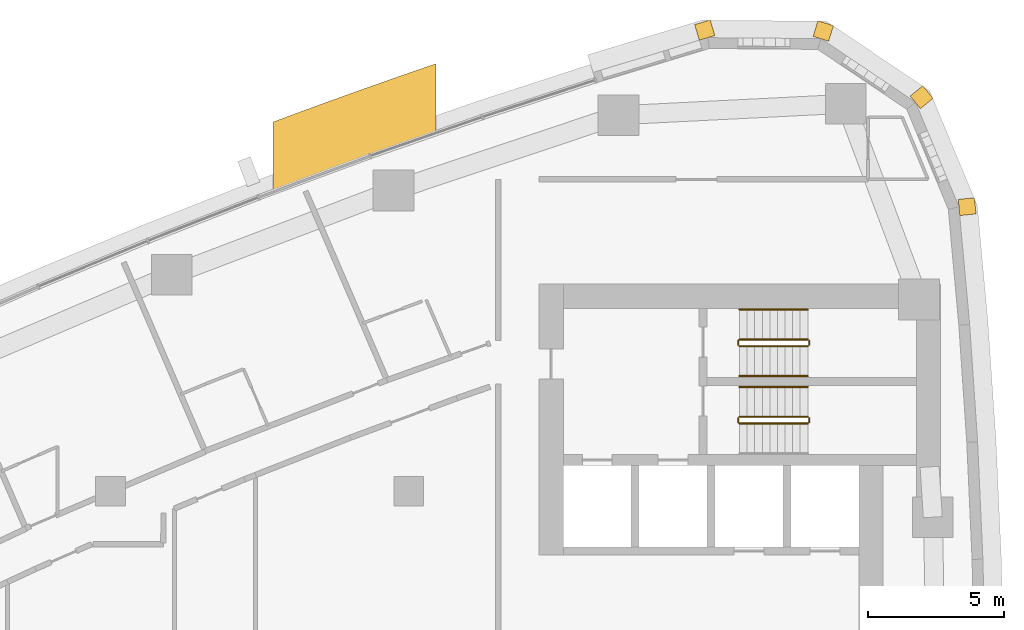
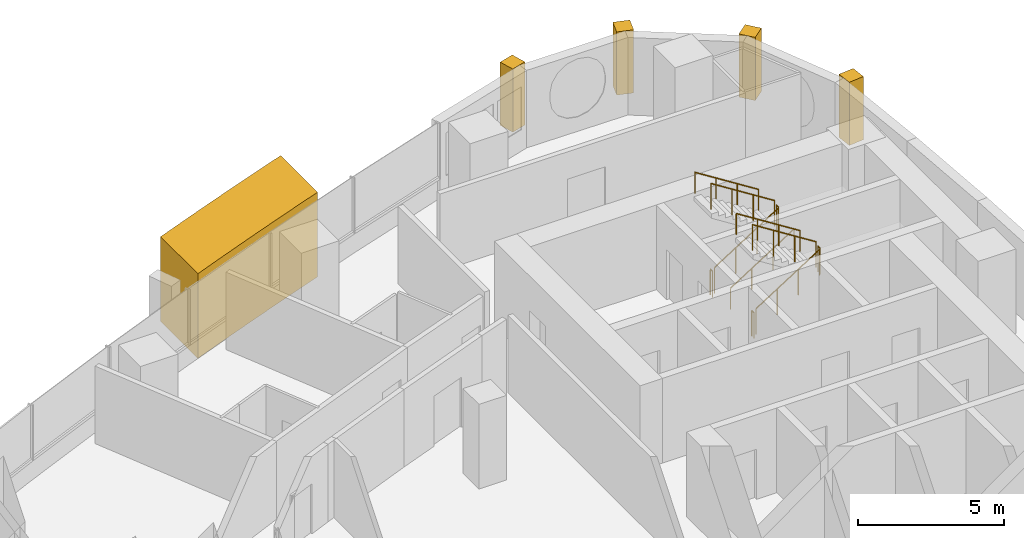
# One storey, part 17 of 17: 11 railings, 5 coverings.
"""IFC4 building model written with IfcOpenShell, lengths in metres."""

from ifc_helpers import new_model, si_unit, direction, frame, frame_2d, origin, origin_2d, place, context, subcontext, project, spatial, polyline, rectangle, circle, outline, extrude, material, layer, layer_set, type_object, element, save


model = new_model("IFC4")

# Units and contexts
model_context = context("Model", 3, precision=1e-05, world=origin(), true_north=direction((0.0, 1.0)))
body_context = subcontext(model_context, "Body", "Model", "MODEL_VIEW")
ifc_project = project(units=[si_unit("LENGTHUNIT", "METRE"), si_unit("AREAUNIT", "SQUARE_METRE"), si_unit("VOLUMEUNIT", "CUBIC_METRE"), si_unit("PLANEANGLEUNIT", "RADIAN"), si_unit("MASSUNIT", "GRAM", prefix="KILO")], contexts=[model_context])

# Site, building, storey
site_placement = place(None, origin())
site = spatial("IfcSite", under=ifc_project, at=site_placement, CompositionType="ELEMENT")
building_placement = place(site_placement, origin())
building = spatial("IfcBuilding", under=site, at=building_placement, Name="Ostrand Prow Hotel Tower", CompositionType="ELEMENT")
storey_placement = place(building_placement, frame((0.0, 0.0, 144.39990234375)))
storey = spatial("IfcBuildingStorey", under=building, at=storey_placement, Name="L35", CompositionType="ELEMENT", Elevation=144.39990234375)

# Coverings
ifc_material_1 = material(Name="Limestone cladding", Category="masonry")
ifc_layer_1 = layer(ifc_material_1, 5.0)
ifc_layer_set_1 = layer_set([ifc_layer_1], Name="Limestone cladding")
covering_type_1 = type_object("IfcCoveringType", Name="Portal jamb pilaster limestone", PredefinedType="CLADDING", material=ifc_layer_set_1)
covering_1_placement = place(storey_placement, origin())
element("IfcCovering", 1, at=covering_1_placement, inside=storey, type_object=covering_type_1, Name="Portal jamb NB L35", PredefinedType="CLADDING", context=body_context, shape_type="SweptSolid", body=[
    extrude(outline(polyline([(40.0, 20.058349609375), (41.0, 20.434326171875), (42.0, 20.804931640625), (43.0, 21.169921875), (44.0, 21.529296875), (45.0, 21.883056640625), (46.0, 22.231689453125), (46.0, 24.769287109375), (45.0, 24.425048828125), (44.0, 24.075439453125), (43.0, 23.720458984375), (42.0, 23.360107421875), (41.0, 22.994140625), (40.0, 22.622802734375), (40.0, 20.058349609375)])), origin(), (0.0, 0.0, 1.0), 3.550048828125),
])
ifc_material_2 = material(Name="Limestone cladding", Category="masonry")
ifc_layer_2 = layer(ifc_material_2, 0.60009765625)
ifc_layer_set_2 = layer_set([ifc_layer_2], Name="Limestone cladding")
covering_type_2 = type_object("IfcCoveringType", Name="Precast stone prow rib 600x600", PredefinedType="CLADDING", material=ifc_layer_set_2)
covering_2_placement = place(storey_placement, frame((65.296875, 19.467529296875, 0.60009765625), z_axis=(0.0, 0.0, 1.0), x_axis=(0.994854249607, 0.101316445052, 0.0)))
element("IfcCovering", 2, at=covering_2_placement, inside=storey, type_object=covering_type_2, Name="Stone corner rib 14a", PredefinedType="CLADDING", context=body_context, shape_type="SweptSolid", body=[
    extrude(rectangle(XDim=0.60009765625, YDim=0.60009765625, at=frame_2d((0.300048828125, 0.0))), origin(), (0.0, 0.0, 1.0), 2.64990234375),
])
for number, where, z_axis, x_axis, name in (
    (3, (63.68505859375, 23.34521484375, 0.60009765625), (0.0, 0.0, 1.0), (0.773830327772, 0.633392945825, 0.0), "Stone corner rib 15a"),
    (4, (60.201171875, 25.689697265625, 0.60009765625), (0.0, 0.0, 1.0), (0.295515682615, 0.955337888565, 0.0), "Stone corner rib 16a"),
):
    element("IfcCovering", number, at=place(storey_placement, frame(where, z_axis=z_axis, x_axis=x_axis)), inside=storey, type_object=covering_type_2, Name=name, PredefinedType="CLADDING", context=body_context, shape_type="SweptSolid", body=[
        extrude(rectangle(XDim=0.599853515625, YDim=0.60009765625, at=frame_2d((0.2998046875, 0.0))), origin(), (0.0, 0.0, 1.0), 2.64990234375),
    ])
covering_3_placement = place(storey_placement, frame((56.001953125, 25.722412109375, 0.60009765625), z_axis=(0.0, 0.0, 1.0), x_axis=(-0.280734221166, 0.959785547436, 0.0)))
element("IfcCovering", 5, at=covering_3_placement, inside=storey, type_object=covering_type_2, Name="Stone corner rib 16b", PredefinedType="CLADDING", context=body_context, shape_type="SweptSolid", body=[
    extrude(rectangle(XDim=0.60009765625, YDim=0.60009765625, at=frame_2d((0.300048828125, 0.0))), origin(), (0.0, 0.0, 1.0), 2.64990234375),
])

# Railings
ifc_material_3 = material(Name="Painted steel", Category="steel")
railing_type_1 = type_object("IfcRailingType", Name="Stair guard 1100", PredefinedType="GUARDRAIL", material=ifc_material_3)
railing_1_placement = place(storey_placement, frame((57.199951171875, 11.5, 0.177490234375)))
element("IfcRailing", 6, at=railing_1_placement, inside=storey, type_object=railing_type_1, Name="L35 ST1C stair guard 1", PredefinedType="GUARDRAIL", context=body_context, shape_type="SweptSolid", body=[
    extrude(circle(Radius=0.02392578125, at=origin_2d()), frame((0.0, 0.0, 1.076171875), z_axis=(0.84456994832, 0.0, 0.535445237532), x_axis=(0.0, 1.0, 0.0)), (0.0, 0.0, 1.0), 2.98388671875),
    extrude(circle(Radius=0.02099609375, at=origin_2d()), origin(), (0.0, 0.0, 1.0), 1.052001953125),
    extrude(circle(Radius=0.02099609375, at=origin_2d()), frame((0.840087890625, 0.0, 0.532470703125)), (0.0, 0.0, 1.0), 1.052001953125),
    extrude(circle(Radius=0.02099609375, at=origin_2d()), frame((1.679931640625, 0.0, 1.065185546875)), (0.0, 0.0, 1.0), 1.052001953125),
    extrude(circle(Radius=0.02099609375, at=origin_2d()), frame((2.52001953125, 0.0, 1.59765625)), (0.0, 0.0, 1.0), 1.052001953125),
])
railing_2_placement = place(storey_placement, frame((59.77001953125, 11.550048828125, 1.775146484375)))
element("IfcRailing", 7, at=railing_2_placement, inside=storey, type_object=railing_type_1, Name="L35 ST1C stair guard 2", PredefinedType="GUARDRAIL", context=body_context, shape_type="SweptSolid", body=[
    extrude(circle(Radius=0.02392578125, at=origin_2d()), frame((0.0, 0.0, 1.076171875), z_axis=(0.0, 1.0, 0.0), x_axis=(-1.0, 0.0, 0.0)), (0.0, 0.0, 1.0), 0.14990234375),
    extrude(circle(Radius=0.02099609375, at=origin_2d()), origin(), (0.0, 0.0, 1.0), 1.052001953125),
    extrude(circle(Radius=0.02099609375, at=origin_2d()), frame((0.0, 0.14990234375, 0.0)), (0.0, 0.0, 1.0), 1.052001953125),
])
railing_3_placement = place(storey_placement, frame((59.719970703125, 11.75, 1.95263671875)))
element("IfcRailing", 8, at=railing_3_placement, inside=storey, type_object=railing_type_1, Name="L35 ST1C stair guard 3", PredefinedType="GUARDRAIL", context=body_context, shape_type="SweptSolid", body=[
    extrude(circle(Radius=0.02392578125, at=origin_2d()), frame((0.0, 0.0, 1.076171875), z_axis=(-0.84460694969, 0.0, 0.535386869969), x_axis=(0.0, -1.0, 0.0)), (0.0, 0.0, 1.0), 2.983642578125),
    extrude(circle(Radius=0.02099609375, at=origin_2d()), origin(), (0.0, 0.0, 1.0), 1.052001953125),
    extrude(circle(Radius=0.02099609375, at=origin_2d()), frame((-0.840087890625, 0.0, 0.532470703125)), (0.0, 0.0, 1.0), 1.052001953125),
    extrude(circle(Radius=0.02099609375, at=origin_2d()), frame((-1.679931640625, 0.0, 1.06494140625)), (0.0, 0.0, 1.0), 1.052001953125),
    extrude(circle(Radius=0.02099609375, at=origin_2d()), frame((-2.52001953125, 0.0, 1.597412109375)), (0.0, 0.0, 1.0), 1.052001953125),
])
railing_4_placement = place(storey_placement, frame((57.14990234375, 11.550048828125, 0.0)))
element("IfcRailing", 9, at=railing_4_placement, inside=storey, type_object=railing_type_1, Name="L35 ST1C stair guard 4", PredefinedType="GUARDRAIL", context=body_context, shape_type="SweptSolid", body=[
    extrude(circle(Radius=0.02392578125, at=origin_2d()), frame((0.0, 0.0, 1.076171875), z_axis=(0.0, 1.0, 0.0), x_axis=(-1.0, 0.0, 0.0)), (0.0, 0.0, 1.0), 0.14990234375),
    extrude(circle(Radius=0.02099609375, at=origin_2d()), origin(), (0.0, 0.0, 1.0), 1.052001953125),
    extrude(circle(Radius=0.02099609375, at=origin_2d()), frame((0.0, 0.14990234375, 0.0)), (0.0, 0.0, 1.0), 1.052001953125),
])
railing_5_placement = place(storey_placement, frame((57.199951171875, 14.35009765625, 0.177490234375)))
element("IfcRailing", 10, at=railing_5_placement, inside=storey, type_object=railing_type_1, Name="L35 ST3C stair guard 1", PredefinedType="GUARDRAIL", context=body_context, shape_type="SweptSolid", body=[
    extrude(circle(Radius=0.02392578125, at=origin_2d()), frame((0.0, 0.0, 1.076171875), z_axis=(0.84456994832, 0.0, 0.535445237532), x_axis=(0.0, 1.0, 0.0)), (0.0, 0.0, 1.0), 2.98388671875),
    extrude(circle(Radius=0.02099609375, at=origin_2d()), origin(), (0.0, 0.0, 1.0), 1.052001953125),
    extrude(circle(Radius=0.02099609375, at=origin_2d()), frame((0.840087890625, 0.0, 0.532470703125)), (0.0, 0.0, 1.0), 1.052001953125),
    extrude(circle(Radius=0.02099609375, at=origin_2d()), frame((1.679931640625, 0.0, 1.065185546875)), (0.0, 0.0, 1.0), 1.052001953125),
    extrude(circle(Radius=0.02099609375, at=origin_2d()), frame((2.52001953125, 0.0, 1.59765625)), (0.0, 0.0, 1.0), 1.052001953125),
])
railing_6_placement = place(storey_placement, frame((59.77001953125, 14.39990234375, 1.775146484375)))
element("IfcRailing", 11, at=railing_6_placement, inside=storey, type_object=railing_type_1, Name="L35 ST3C stair guard 2", PredefinedType="GUARDRAIL", context=body_context, shape_type="SweptSolid", body=[
    extrude(circle(Radius=0.02392578125, at=origin_2d()), frame((0.0, 0.0, 1.076171875), z_axis=(0.0, 1.0, 0.0), x_axis=(-1.0, 0.0, 0.0)), (0.0, 0.0, 1.0), 0.150146484375),
    extrude(circle(Radius=0.02099609375, at=origin_2d()), origin(), (0.0, 0.0, 1.0), 1.052001953125),
    extrude(circle(Radius=0.02099609375, at=origin_2d()), frame((0.0, 0.150146484375, 0.0)), (0.0, 0.0, 1.0), 1.052001953125),
])
railing_7_placement = place(storey_placement, frame((59.719970703125, 14.60009765625, 1.95263671875)))
element("IfcRailing", 12, at=railing_7_placement, inside=storey, type_object=railing_type_1, Name="L35 ST3C stair guard 3", PredefinedType="GUARDRAIL", context=body_context, shape_type="SweptSolid", body=[
    extrude(circle(Radius=0.02392578125, at=origin_2d()), frame((0.0, 0.0, 1.076171875), z_axis=(-0.84460694969, 0.0, 0.535386869969), x_axis=(0.0, -1.0, 0.0)), (0.0, 0.0, 1.0), 2.983642578125),
    extrude(circle(Radius=0.02099609375, at=origin_2d()), origin(), (0.0, 0.0, 1.0), 1.052001953125),
    extrude(circle(Radius=0.02099609375, at=origin_2d()), frame((-0.840087890625, 0.0, 0.532470703125)), (0.0, 0.0, 1.0), 1.052001953125),
    extrude(circle(Radius=0.02099609375, at=origin_2d()), frame((-1.679931640625, 0.0, 1.06494140625)), (0.0, 0.0, 1.0), 1.052001953125),
    extrude(circle(Radius=0.02099609375, at=origin_2d()), frame((-2.52001953125, 0.0, 1.597412109375)), (0.0, 0.0, 1.0), 1.052001953125),
])
railing_8_placement = place(storey_placement, frame((57.14990234375, 14.39990234375, 0.0)))
element("IfcRailing", 13, at=railing_8_placement, inside=storey, type_object=railing_type_1, Name="L35 ST3C stair guard 4", PredefinedType="GUARDRAIL", context=body_context, shape_type="SweptSolid", body=[
    extrude(circle(Radius=0.02392578125, at=origin_2d()), frame((0.0, 0.0, 1.076171875), z_axis=(0.0, 1.0, 0.0), x_axis=(-1.0, 0.0, 0.0)), (0.0, 0.0, 1.0), 0.150146484375),
    extrude(circle(Radius=0.02099609375, at=origin_2d()), origin(), (0.0, 0.0, 1.0), 1.052001953125),
    extrude(circle(Radius=0.02099609375, at=origin_2d()), frame((0.0, 0.150146484375, 0.0)), (0.0, 0.0, 1.0), 1.052001953125),
])
ifc_material_4 = material(Name="Stainless steel", Category="steel")
railing_type_2 = type_object("IfcRailingType", Name="Stair handrail 900", PredefinedType="HANDRAIL", material=ifc_material_4)
railing_9_placement = place(storey_placement, frame((59.719970703125, 12.85009765625, 1.95263671875)))
element("IfcRailing", 14, at=railing_9_placement, inside=storey, type_object=railing_type_2, Name="L35 ST1C stair handrail 2", PredefinedType="HANDRAIL", context=body_context, shape_type="SweptSolid", body=[
    extrude(circle(Radius=0.02392578125, at=origin_2d()), frame((0.0, 0.0, 0.8759765625), z_axis=(-0.84460694969, 0.0, 0.535386869969), x_axis=(0.0, -1.0, 0.0)), (0.0, 0.0, 1.0), 2.983642578125),
    extrude(circle(Radius=0.02099609375, at=origin_2d()), origin(), (0.0, 0.0, 1.0), 0.851806640625),
    extrude(circle(Radius=0.02099609375, at=origin_2d()), frame((-0.840087890625, 0.0, 0.532470703125)), (0.0, 0.0, 1.0), 0.851806640625),
    extrude(circle(Radius=0.02099609375, at=origin_2d()), frame((-1.679931640625, 0.0, 1.06494140625)), (0.0, 0.0, 1.0), 0.851806640625),
    extrude(circle(Radius=0.02099609375, at=origin_2d()), frame((-2.52001953125, 0.0, 1.597412109375)), (0.0, 0.0, 1.0), 0.851806640625),
])
railing_10_placement = place(storey_placement, frame((57.199951171875, 13.25, 0.177490234375)))
element("IfcRailing", 15, at=railing_10_placement, inside=storey, type_object=railing_type_2, Name="L35 ST3C stair handrail 1", PredefinedType="HANDRAIL", context=body_context, shape_type="SweptSolid", body=[
    extrude(circle(Radius=0.02392578125, at=origin_2d()), frame((0.0, 0.0, 0.8759765625), z_axis=(0.84456994832, 0.0, 0.535445237532), x_axis=(0.0, 1.0, 0.0)), (0.0, 0.0, 1.0), 2.98388671875),
    extrude(circle(Radius=0.02099609375, at=origin_2d()), origin(), (0.0, 0.0, 1.0), 0.851806640625),
    extrude(circle(Radius=0.02099609375, at=origin_2d()), frame((0.840087890625, 0.0, 0.532470703125)), (0.0, 0.0, 1.0), 0.851806640625),
    extrude(circle(Radius=0.02099609375, at=origin_2d()), frame((1.679931640625, 0.0, 1.065185546875)), (0.0, 0.0, 1.0), 0.851806640625),
    extrude(circle(Radius=0.02099609375, at=origin_2d()), frame((2.52001953125, 0.0, 1.59765625)), (0.0, 0.0, 1.0), 0.851806640625),
])
railing_11_placement = place(storey_placement, frame((59.719970703125, 15.699951171875, 1.95263671875)))
element("IfcRailing", 16, at=railing_11_placement, inside=storey, type_object=railing_type_2, Name="L35 ST3C stair handrail 2", PredefinedType="HANDRAIL", context=body_context, shape_type="SweptSolid", body=[
    extrude(circle(Radius=0.02392578125, at=origin_2d()), frame((0.0, 0.0, 0.8759765625), z_axis=(-0.84460694969, 0.0, 0.535386869969), x_axis=(0.0, -1.0, 0.0)), (0.0, 0.0, 1.0), 2.983642578125),
    extrude(circle(Radius=0.02099609375, at=origin_2d()), origin(), (0.0, 0.0, 1.0), 0.851806640625),
    extrude(circle(Radius=0.02099609375, at=origin_2d()), frame((-0.840087890625, 0.0, 0.532470703125)), (0.0, 0.0, 1.0), 0.851806640625),
    extrude(circle(Radius=0.02099609375, at=origin_2d()), frame((-1.679931640625, 0.0, 1.06494140625)), (0.0, 0.0, 1.0), 0.851806640625),
    extrude(circle(Radius=0.02099609375, at=origin_2d()), frame((-2.52001953125, 0.0, 1.597412109375)), (0.0, 0.0, 1.0), 0.851806640625),
])

save(model, "model.ifc")
